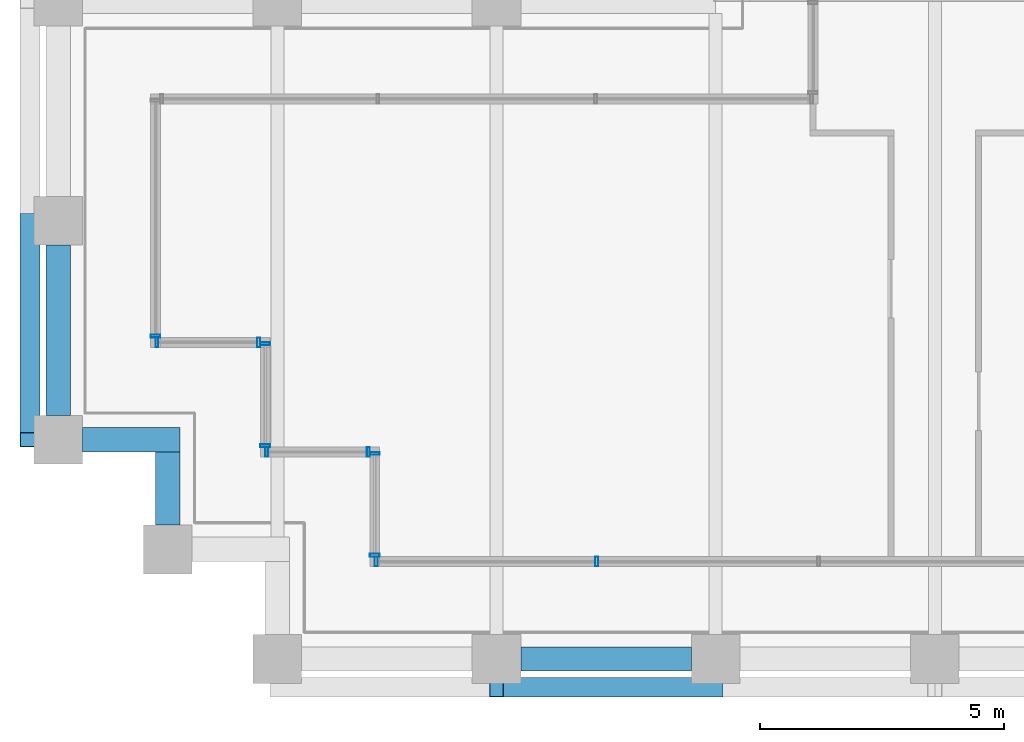
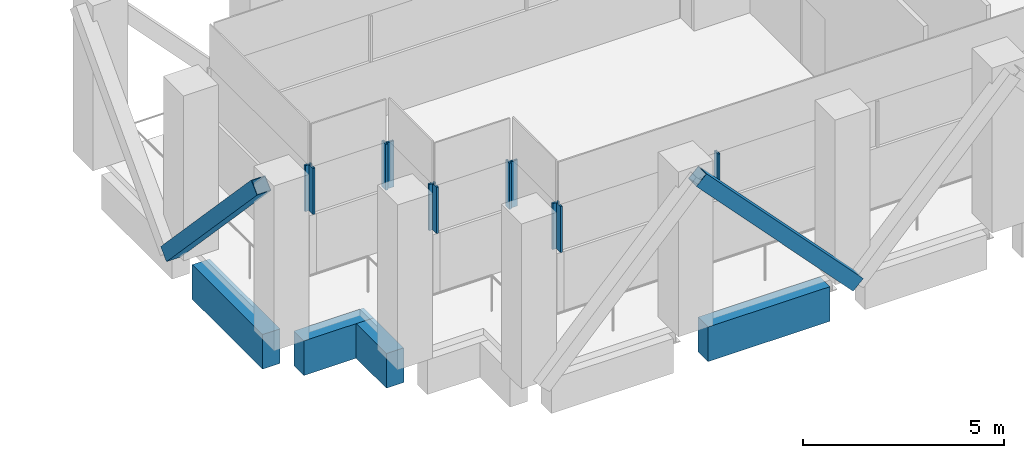
# One storey, part 2 of 48: 13 members, 4 beams, 6 elements without a shape of their own.
"""IFC4 building model written with IfcOpenShell, lengths in metres."""

from ifc_helpers import new_model, si_unit, direction, frame, origin, origin_2d, place, context, subcontext, project, spatial, rectangle, hollow_rectangle, extrude, material, material_profile, profile_set, type_object, element, aggregate, save


model = new_model("IFC4")

# Units and contexts
model_context = context("Model", 3, precision=1e-05, world=origin(), true_north=direction((0.0, 1.0)))
body_context = subcontext(model_context, "Body", "Model", "MODEL_VIEW")
ifc_project = project(units=[si_unit("LENGTHUNIT", "METRE"), si_unit("AREAUNIT", "SQUARE_METRE"), si_unit("VOLUMEUNIT", "CUBIC_METRE"), si_unit("PLANEANGLEUNIT", "RADIAN"), si_unit("MASSUNIT", "GRAM", prefix="KILO")], contexts=[model_context])

# Site, building, storey
site_placement = place(None, origin())
site = spatial("IfcSite", under=ifc_project, at=site_placement, CompositionType="ELEMENT")
building_placement = place(site_placement, origin())
building = spatial("IfcBuilding", under=site, at=building_placement, Name="Altepetl Exchange Towers", CompositionType="ELEMENT")
storey_placement = place(building_placement, frame((0.0, 0.0, 138.800048828125)))
storey = spatial("IfcBuildingStorey", under=building, at=storey_placement, Name="L34 Refuge and sky lobby", CompositionType="ELEMENT", Elevation=138.800048828125)

# Members
ifc_material_1 = material(Name="Steel S355", Category="steel")
ifc_material_profile_1 = material_profile(ifc_material_1, hollow_rectangle(XDim=0.406005859375, YDim=0.406005859375, WallThickness=0.014892578125, at=origin_2d()), Name="HSS406X406X15.9")
ifc_profile_set_1 = profile_set([ifc_material_profile_1], Name="Steel S355")
member_type_1 = type_object("IfcMemberType", Name="Belt diagonal HSS406X406X15.9", PredefinedType="BRACE", material=ifc_profile_set_1)
for number, where, z_axis, x_axis, name in (
    (1, (36.0, 26.419921875, 4.75), (0.687744647911, 0.0, -0.725952683906), (0.0, 1.0, 0.0), "brc:A:L34:001"),
    (2, (26.419921875, 36.0, 0.0), (0.0, -0.687744647911, 0.725952683906), (1.0, 0.0, 0.0), "brc:A:L34:024"),
):
    element("IfcMember", number, at=place(storey_placement, frame(where, z_axis=z_axis, x_axis=x_axis)), inside=storey, type_object=member_type_1, Name=name, PredefinedType="BRACE", context=body_context, shape_type="SweptSolid", body=[
        extrude(hollow_rectangle(XDim=0.406005859375, YDim=0.406005859375, WallThickness=0.014892578125, at=origin_2d()), origin(), (0.0, 0.0, 1.0), 6.543212890625),
    ])

# Curtain wall, member
ifc_material_2 = material(Name="Aluminium 6063-T6 glazing", Category="aluminium")
curtain_wall_type = type_object("IfcCurtainWallType", Name="Refuge slit glazing system", PredefinedType="NOTDEFINED", material=ifc_material_2)
curtain_wall_1_placement = place(storey_placement, origin())
curtain_wall_1 = element("IfcCurtainWall", 3, at=curtain_wall_1_placement, inside=storey, type_object=curtain_wall_type, Name="CW3 run", PredefinedType="NOTDEFINED")
ifc_material_3 = material(Name="Aluminium 6063-T6", Category="aluminium")
ifc_material_profile_2 = material_profile(ifc_material_3, hollow_rectangle(XDim=0.06005859375, YDim=0.199951171875, WallThickness=0.0029296875, at=origin_2d()), Name="Mullion 60x200 aluminium")
ifc_profile_set_2 = profile_set([ifc_material_profile_2], Name="Aluminium 6063-T6")
member_type_2 = type_object("IfcMemberType", Name="Mullion 60x200 aluminium", PredefinedType="MULLION", material=ifc_profile_set_2)
member_1_placement = place(storey_placement, frame((29.0, 33.6298828125, 1.800048828125), z_axis=(0.0, 0.0, 1.0), x_axis=(0.0, -1.0, 0.0)))
member_1 = element("IfcMember", 4, at=member_1_placement, type_object=member_type_2, Name="MU2 mullion", PredefinedType="MULLION", context=body_context, shape_type="SweptSolid", body=[
    extrude(hollow_rectangle(XDim=0.06005859375, YDim=0.199951171875, WallThickness=0.0029296875, at=origin_2d()), origin(), (0.0, 0.0, 1.0), 1.39990234375),
])
aggregate(curtain_wall_1, [member_1])

# Curtain wall, members
curtain_wall_2_placement = place(storey_placement, origin())
curtain_wall_2 = element("IfcCurtainWall", 5, at=curtain_wall_2_placement, inside=storey, type_object=curtain_wall_type, Name="CW3 run", PredefinedType="NOTDEFINED")
member_2_placement = place(storey_placement, frame((29.030029296875, 33.5, 1.800048828125)))
member_2 = element("IfcMember", 6, at=member_2_placement, type_object=member_type_2, Name="MU2 mullion", PredefinedType="MULLION", context=body_context, shape_type="SweptSolid", body=[
    extrude(hollow_rectangle(XDim=0.06005859375, YDim=0.199951171875, WallThickness=0.0029296875, at=origin_2d()), origin(), (0.0, 0.0, 1.0), 1.39990234375),
])
member_3_placement = place(storey_placement, frame((31.1201171875, 33.5, 1.800048828125)))
member_3 = element("IfcMember", 7, at=member_3_placement, type_object=member_type_2, Name="MU2 mullion", PredefinedType="MULLION", context=body_context, shape_type="SweptSolid", body=[
    extrude(hollow_rectangle(XDim=0.06005859375, YDim=0.199951171875, WallThickness=0.0029296875, at=origin_2d()), origin(), (0.0, 0.0, 1.0), 1.39990234375),
])
aggregate(curtain_wall_2, [member_2, member_3])

curtain_wall_3_placement = place(storey_placement, origin())
curtain_wall_3 = element("IfcCurtainWall", 8, at=curtain_wall_3_placement, inside=storey, type_object=curtain_wall_type, Name="CW3 run", PredefinedType="NOTDEFINED")
member_4_placement = place(storey_placement, frame((31.25, 33.469970703125, 1.800048828125), z_axis=(0.0, 0.0, 1.0), x_axis=(0.0, -1.0, 0.0)))
member_4 = element("IfcMember", 9, at=member_4_placement, type_object=member_type_2, Name="MU2 mullion", PredefinedType="MULLION", context=body_context, shape_type="SweptSolid", body=[
    extrude(hollow_rectangle(XDim=0.06005859375, YDim=0.199951171875, WallThickness=0.0029296875, at=origin_2d()), origin(), (0.0, 0.0, 1.0), 1.39990234375),
])
member_5_placement = place(storey_placement, frame((31.25, 31.3798828125, 1.800048828125), z_axis=(0.0, 0.0, 1.0), x_axis=(0.0, -1.0, 0.0)))
member_5 = element("IfcMember", 10, at=member_5_placement, type_object=member_type_2, Name="MU2 mullion", PredefinedType="MULLION", context=body_context, shape_type="SweptSolid", body=[
    extrude(hollow_rectangle(XDim=0.06005859375, YDim=0.199951171875, WallThickness=0.0029296875, at=origin_2d()), origin(), (0.0, 0.0, 1.0), 1.39990234375),
])
aggregate(curtain_wall_3, [member_4, member_5])

curtain_wall_4_placement = place(storey_placement, origin())
curtain_wall_4 = element("IfcCurtainWall", 11, at=curtain_wall_4_placement, inside=storey, type_object=curtain_wall_type, Name="CW3 run", PredefinedType="NOTDEFINED")
member_6_placement = place(storey_placement, frame((31.280029296875, 31.25, 1.800048828125)))
member_6 = element("IfcMember", 12, at=member_6_placement, type_object=member_type_2, Name="MU2 mullion", PredefinedType="MULLION", context=body_context, shape_type="SweptSolid", body=[
    extrude(hollow_rectangle(XDim=0.06005859375, YDim=0.199951171875, WallThickness=0.0029296875, at=origin_2d()), origin(), (0.0, 0.0, 1.0), 1.39990234375),
])
member_7_placement = place(storey_placement, frame((33.3701171875, 31.25, 1.800048828125)))
member_7 = element("IfcMember", 13, at=member_7_placement, type_object=member_type_2, Name="MU2 mullion", PredefinedType="MULLION", context=body_context, shape_type="SweptSolid", body=[
    extrude(hollow_rectangle(XDim=0.06005859375, YDim=0.199951171875, WallThickness=0.0029296875, at=origin_2d()), origin(), (0.0, 0.0, 1.0), 1.39990234375),
])
aggregate(curtain_wall_4, [member_6, member_7])

curtain_wall_5_placement = place(storey_placement, origin())
curtain_wall_5 = element("IfcCurtainWall", 14, at=curtain_wall_5_placement, inside=storey, type_object=curtain_wall_type, Name="CW3 run", PredefinedType="NOTDEFINED")
member_8_placement = place(storey_placement, frame((33.5, 31.219970703125, 1.800048828125), z_axis=(0.0, 0.0, 1.0), x_axis=(0.0, -1.0, 0.0)))
member_8 = element("IfcMember", 15, at=member_8_placement, type_object=member_type_2, Name="MU2 mullion", PredefinedType="MULLION", context=body_context, shape_type="SweptSolid", body=[
    extrude(hollow_rectangle(XDim=0.06005859375, YDim=0.199951171875, WallThickness=0.0029296875, at=origin_2d()), origin(), (0.0, 0.0, 1.0), 1.39990234375),
])
member_9_placement = place(storey_placement, frame((33.5, 29.1298828125, 1.800048828125), z_axis=(0.0, 0.0, 1.0), x_axis=(0.0, -1.0, 0.0)))
member_9 = element("IfcMember", 16, at=member_9_placement, type_object=member_type_2, Name="MU2 mullion", PredefinedType="MULLION", context=body_context, shape_type="SweptSolid", body=[
    extrude(hollow_rectangle(XDim=0.06005859375, YDim=0.199951171875, WallThickness=0.0029296875, at=origin_2d()), origin(), (0.0, 0.0, 1.0), 1.39990234375),
])
aggregate(curtain_wall_5, [member_8, member_9])

curtain_wall_6_placement = place(storey_placement, origin())
curtain_wall_6 = element("IfcCurtainWall", 17, at=curtain_wall_6_placement, inside=storey, type_object=curtain_wall_type, Name="CW3 run", PredefinedType="NOTDEFINED")
member_10_placement = place(storey_placement, frame((33.530029296875, 29.0, 1.800048828125)))
member_10 = element("IfcMember", 18, at=member_10_placement, type_object=member_type_2, Name="MU2 mullion", PredefinedType="MULLION", context=body_context, shape_type="SweptSolid", body=[
    extrude(hollow_rectangle(XDim=0.06005859375, YDim=0.199951171875, WallThickness=0.0029296875, at=origin_2d()), origin(), (0.0, 0.0, 1.0), 1.39990234375),
])
member_11_placement = place(storey_placement, frame((38.05712890625, 29.0, 1.800048828125)))
member_11 = element("IfcMember", 19, at=member_11_placement, type_object=member_type_2, Name="MU2 mullion", PredefinedType="MULLION", context=body_context, shape_type="SweptSolid", body=[
    extrude(hollow_rectangle(XDim=0.06005859375, YDim=0.199951171875, WallThickness=0.0029296875, at=origin_2d()), origin(), (0.0, 0.0, 1.0), 1.39990234375),
])
aggregate(curtain_wall_6, [member_10, member_11])

# Beams
ifc_material_4 = material(Name="Concrete C50/60 precast with cantera blanca facing", Category="concrete")
ifc_material_profile_3 = material_profile(ifc_material_4, rectangle(XDim=0.5, YDim=1.050048828125, at=origin_2d()), Name="500 x 1050")
ifc_profile_set_3 = profile_set([ifc_material_profile_3], Name="Concrete C50/60 precast with cantera blanca facing")
beam_type = type_object("IfcBeamType", Name="Spandrel beam 500x1050 cantera blanca", PredefinedType="SPANDREL", material=ifc_profile_set_3)
for number, where, z_axis, x_axis, name in (
    (20, (36.5, 27.0, -0.72509765625), (1.0, 0.0, 0.0), (0.0, 1.0, 0.0), "sp:A:L34:001"),
    (21, (27.0, 35.5, -0.72509765625), (0.0, -1.0, 0.0), (1.0, 0.0, 0.0), "sp:A:L34:037"),
):
    element("IfcBeam", number, at=place(storey_placement, frame(where, z_axis=z_axis, x_axis=x_axis)), inside=storey, type_object=beam_type, Name=name, PredefinedType="SPANDREL", context=body_context, shape_type="SweptSolid", body=[
        extrude(rectangle(XDim=0.5, YDim=1.050048828125, at=origin_2d()), origin(), (0.0, 0.0, 1.0), 3.5),
    ])
beam_1_placement = place(storey_placement, frame((27.5, 31.5, -0.72509765625), z_axis=(1.0, 0.0, 0.0), x_axis=(0.0, 1.0, 0.0)))
element("IfcBeam", 22, at=beam_1_placement, inside=storey, type_object=beam_type, Name="sp:A:L34:038", PredefinedType="SPANDREL", context=body_context, shape_type="SweptSolid", body=[
    extrude(rectangle(XDim=0.5, YDim=1.050048828125, at=origin_2d()), origin(), (0.0, 0.0, 1.0), 2.0),
])
beam_2_placement = place(storey_placement, frame((29.25, 31.25, -0.72509765625), z_axis=(0.0, -1.0, 0.0), x_axis=(1.0, 0.0, 0.0)))
element("IfcBeam", 23, at=beam_2_placement, inside=storey, type_object=beam_type, Name="sp:A:L34:039", PredefinedType="SPANDREL", context=body_context, shape_type="SweptSolid", body=[
    extrude(rectangle(XDim=0.5, YDim=1.050048828125, at=origin_2d()), origin(), (0.0, 0.0, 1.0), 1.5),
])

save(model, "model.ifc")
